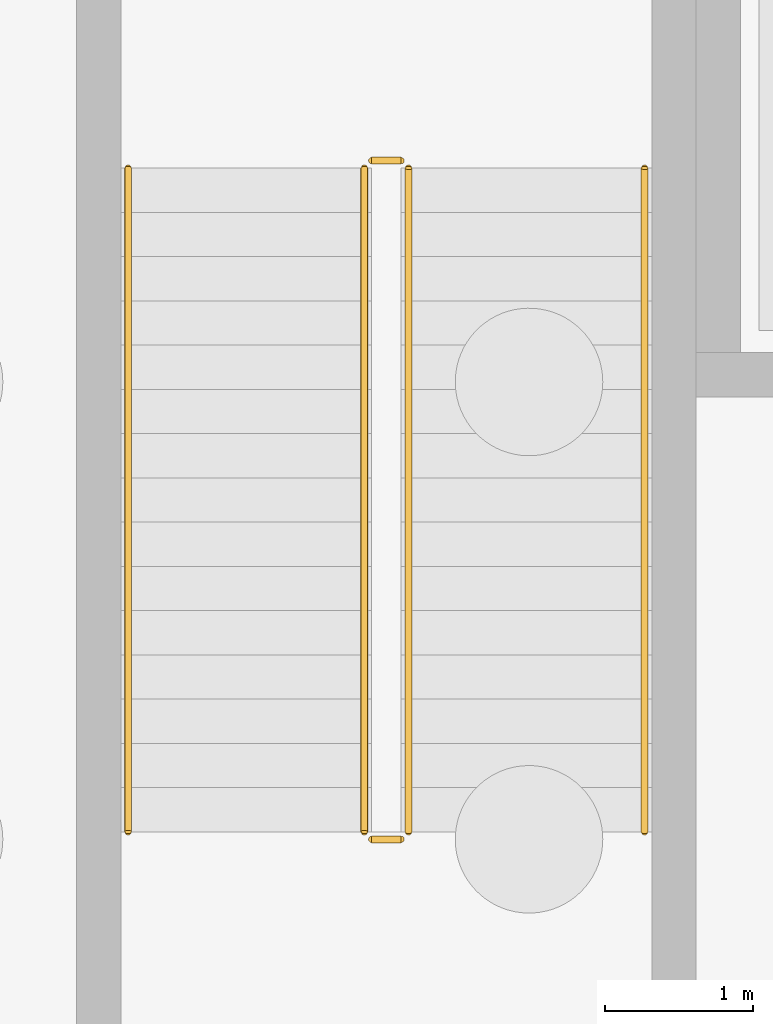
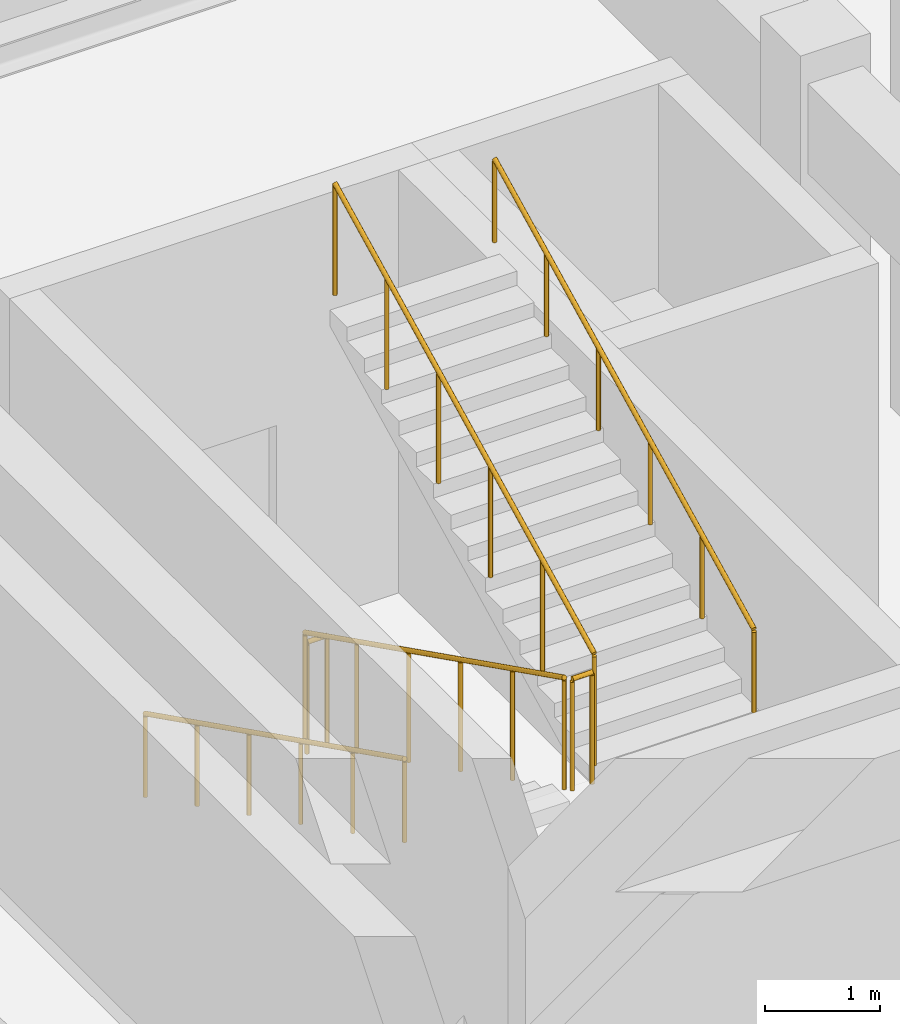
# One storey, part 14 of 16: 6 railings.
"""IFC4 building model written with IfcOpenShell, lengths in metres."""

from ifc_helpers import new_model, si_unit, direction, frame, origin, origin_2d, place, context, subcontext, project, spatial, circle, extrude, material, type_object, element, save


model = new_model("IFC4")

# Units and contexts
model_context = context("Model", 3, precision=1e-05, world=origin(), true_north=direction((0.0, 1.0)))
body_context = subcontext(model_context, "Body", "Model", "MODEL_VIEW")
ifc_project = project(units=[si_unit("LENGTHUNIT", "METRE"), si_unit("AREAUNIT", "SQUARE_METRE"), si_unit("VOLUMEUNIT", "CUBIC_METRE"), si_unit("PLANEANGLEUNIT", "RADIAN"), si_unit("MASSUNIT", "GRAM", prefix="KILO")], contexts=[model_context])

# Site, building, storey
site_placement = place(None, origin())
site = spatial("IfcSite", under=ifc_project, at=site_placement, CompositionType="ELEMENT")
building_placement = place(site_placement, origin())
building = spatial("IfcBuilding", under=site, at=building_placement, Name="Bozkorgan Art Gallery", CompositionType="ELEMENT")
storey_placement = place(building_placement, frame((0.0, 0.0, -4.800048828125)))
storey = spatial("IfcBuildingStorey", under=building, at=storey_placement, Name="B1", CompositionType="ELEMENT", Elevation=-4.800048828125)

# Railings
ifc_material = material(Name="Steel S355J2", Category="steel")
railing_type_1 = type_object("IfcRailingType", Name="RAIL-GRD-115", PredefinedType="GUARDRAIL", material=ifc_material)
railing_1_placement = place(storey_placement, frame((77.050048828125, 64.550048828125, 0.150146484375)))
element("IfcRailing", 1, at=railing_1_placement, inside=storey, type_object=railing_type_1, Name="B1 ST2 stair guard 1", PredefinedType="GUARDRAIL", context=body_context, shape_type="SweptSolid", body=[
    extrude(circle(Radius=0.02392578125, at=origin_2d()), frame((0.0, 0.0, 1.17578125), z_axis=(0.0, -0.894427191, 0.4472135955), x_axis=(1.0, 0.0, 0.0)), (0.0, 0.0, 1.0), 5.03125),
    extrude(circle(Radius=0.02099609375, at=origin_2d()), origin(), (0.0, 0.0, 1.0), 1.15185546875),
    extrude(circle(Radius=0.02099609375, at=origin_2d()), frame((0.0, -0.89990234375, 0.449951171875)), (0.0, 0.0, 1.0), 1.15185546875),
    extrude(circle(Radius=0.02099609375, at=origin_2d()), frame((0.0, -1.800048828125, 0.89990234375)), (0.0, 0.0, 1.0), 1.15185546875),
    extrude(circle(Radius=0.02099609375, at=origin_2d()), frame((0.0, -2.699951171875, 1.35009765625)), (0.0, 0.0, 1.0), 1.15185546875),
    extrude(circle(Radius=0.02099609375, at=origin_2d()), frame((0.0, -3.60009765625, 1.800048828125)), (0.0, 0.0, 1.0), 1.15185546875),
    extrude(circle(Radius=0.02099609375, at=origin_2d()), frame((0.0, -4.5, 2.25)), (0.0, 0.0, 1.0), 1.15185546875),
])
railing_2_placement = place(storey_placement, frame((77.10009765625, 60.0, 2.400146484375)))
element("IfcRailing", 2, at=railing_2_placement, inside=storey, type_object=railing_type_1, Name="B1 ST2 stair guard 2", PredefinedType="GUARDRAIL", context=body_context, shape_type="SweptSolid", body=[
    extrude(circle(Radius=0.02392578125, at=origin_2d()), frame((0.0, 0.0, 1.17578125), z_axis=(1.0, 0.0, 0.0), x_axis=(0.0, 1.0, 0.0)), (0.0, 0.0, 1.0), 0.199951171875),
    extrude(circle(Radius=0.02099609375, at=origin_2d()), origin(), (0.0, 0.0, 1.0), 1.15185546875),
    extrude(circle(Radius=0.02099609375, at=origin_2d()), frame((0.199951171875, 0.0, 0.0)), (0.0, 0.0, 1.0), 1.15185546875),
])
railing_3_placement = place(storey_placement, frame((77.35009765625, 60.050048828125, 2.550048828125)))
element("IfcRailing", 3, at=railing_3_placement, inside=storey, type_object=railing_type_1, Name="B1 ST2 stair guard 3", PredefinedType="GUARDRAIL", context=body_context, shape_type="SweptSolid", body=[
    extrude(circle(Radius=0.02392578125, at=origin_2d()), frame((0.0, 0.0, 1.17578125), z_axis=(0.0, 0.894427191, 0.4472135955), x_axis=(-1.0, 0.0, 0.0)), (0.0, 0.0, 1.0), 5.03125),
    extrude(circle(Radius=0.02099609375, at=origin_2d()), origin(), (0.0, 0.0, 1.0), 1.15185546875),
    extrude(circle(Radius=0.02099609375, at=origin_2d()), frame((0.0, 0.89990234375, 0.449951171875)), (0.0, 0.0, 1.0), 1.15185546875),
    extrude(circle(Radius=0.02099609375, at=origin_2d()), frame((0.0, 1.800048828125, 0.89990234375)), (0.0, 0.0, 1.0), 1.15185546875),
    extrude(circle(Radius=0.02099609375, at=origin_2d()), frame((0.0, 2.699951171875, 1.35009765625)), (0.0, 0.0, 1.0), 1.15185546875),
    extrude(circle(Radius=0.02099609375, at=origin_2d()), frame((0.0, 3.60009765625, 1.800048828125)), (0.0, 0.0, 1.0), 1.15185546875),
    extrude(circle(Radius=0.02099609375, at=origin_2d()), frame((0.0, 4.5, 2.25)), (0.0, 0.0, 1.0), 1.15185546875),
])
railing_4_placement = place(storey_placement, frame((77.10009765625, 64.60009765625, 0.0)))
element("IfcRailing", 4, at=railing_4_placement, inside=storey, type_object=railing_type_1, Name="B1 ST2 stair guard 4", PredefinedType="GUARDRAIL", context=body_context, shape_type="SweptSolid", body=[
    extrude(circle(Radius=0.02392578125, at=origin_2d()), frame((0.0, 0.0, 1.17578125), z_axis=(1.0, 0.0, 0.0), x_axis=(0.0, 1.0, 0.0)), (0.0, 0.0, 1.0), 0.199951171875),
    extrude(circle(Radius=0.02099609375, at=origin_2d()), origin(), (0.0, 0.0, 1.0), 1.15185546875),
    extrude(circle(Radius=0.02099609375, at=origin_2d()), frame((0.199951171875, 0.0, 0.0)), (0.0, 0.0, 1.0), 1.15185546875),
])
railing_type_2 = type_object("IfcRailingType", Name="RAIL-HND-092", PredefinedType="HANDRAIL", material=ifc_material)
railing_5_placement = place(storey_placement, frame((75.449951171875, 64.550048828125, 0.150146484375)))
element("IfcRailing", 5, at=railing_5_placement, inside=storey, type_object=railing_type_2, Name="B1 ST2 stair handrail 1", PredefinedType="HANDRAIL", context=body_context, shape_type="SweptSolid", body=[
    extrude(circle(Radius=0.02392578125, at=origin_2d()), frame((0.0, 0.0, 0.8759765625), z_axis=(0.0, -0.894427191, 0.4472135955), x_axis=(1.0, 0.0, 0.0)), (0.0, 0.0, 1.0), 5.03125),
    extrude(circle(Radius=0.02099609375, at=origin_2d()), origin(), (0.0, 0.0, 1.0), 0.851806640625),
    extrude(circle(Radius=0.02099609375, at=origin_2d()), frame((0.0, -0.89990234375, 0.449951171875)), (0.0, 0.0, 1.0), 0.851806640625),
    extrude(circle(Radius=0.02099609375, at=origin_2d()), frame((0.0, -1.800048828125, 0.89990234375)), (0.0, 0.0, 1.0), 0.851806640625),
    extrude(circle(Radius=0.02099609375, at=origin_2d()), frame((0.0, -2.699951171875, 1.35009765625)), (0.0, 0.0, 1.0), 0.851806640625),
    extrude(circle(Radius=0.02099609375, at=origin_2d()), frame((0.0, -3.60009765625, 1.800048828125)), (0.0, 0.0, 1.0), 0.851806640625),
    extrude(circle(Radius=0.02099609375, at=origin_2d()), frame((0.0, -4.5, 2.25)), (0.0, 0.0, 1.0), 0.851806640625),
])
railing_6_placement = place(storey_placement, frame((78.949951171875, 60.050048828125, 2.550048828125)))
element("IfcRailing", 6, at=railing_6_placement, inside=storey, type_object=railing_type_2, Name="B1 ST2 stair handrail 2", PredefinedType="HANDRAIL", context=body_context, shape_type="SweptSolid", body=[
    extrude(circle(Radius=0.02392578125, at=origin_2d()), frame((0.0, 0.0, 0.8759765625), z_axis=(0.0, 0.894427191, 0.4472135955), x_axis=(-1.0, 0.0, 0.0)), (0.0, 0.0, 1.0), 5.03125),
    extrude(circle(Radius=0.02099609375, at=origin_2d()), origin(), (0.0, 0.0, 1.0), 0.851806640625),
    extrude(circle(Radius=0.02099609375, at=origin_2d()), frame((0.0, 0.89990234375, 0.449951171875)), (0.0, 0.0, 1.0), 0.851806640625),
    extrude(circle(Radius=0.02099609375, at=origin_2d()), frame((0.0, 1.800048828125, 0.89990234375)), (0.0, 0.0, 1.0), 0.851806640625),
    extrude(circle(Radius=0.02099609375, at=origin_2d()), frame((0.0, 2.699951171875, 1.35009765625)), (0.0, 0.0, 1.0), 0.851806640625),
    extrude(circle(Radius=0.02099609375, at=origin_2d()), frame((0.0, 3.60009765625, 1.800048828125)), (0.0, 0.0, 1.0), 0.851806640625),
    extrude(circle(Radius=0.02099609375, at=origin_2d()), frame((0.0, 4.5, 2.25)), (0.0, 0.0, 1.0), 0.851806640625),
])

save(model, "model.ifc")
